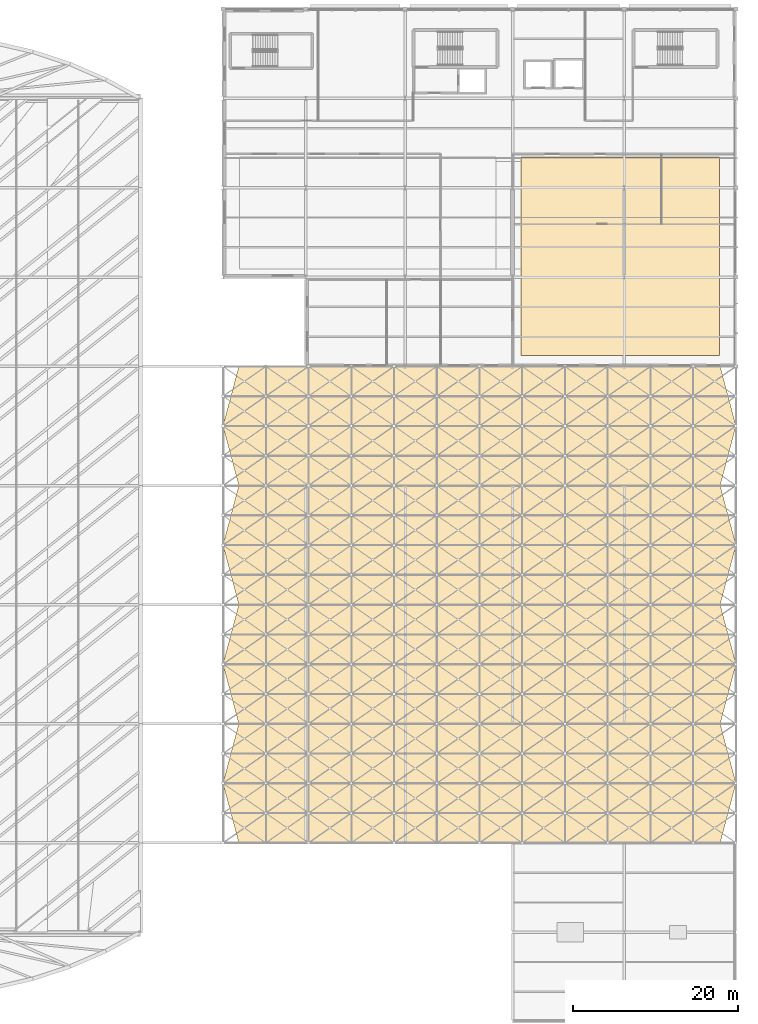
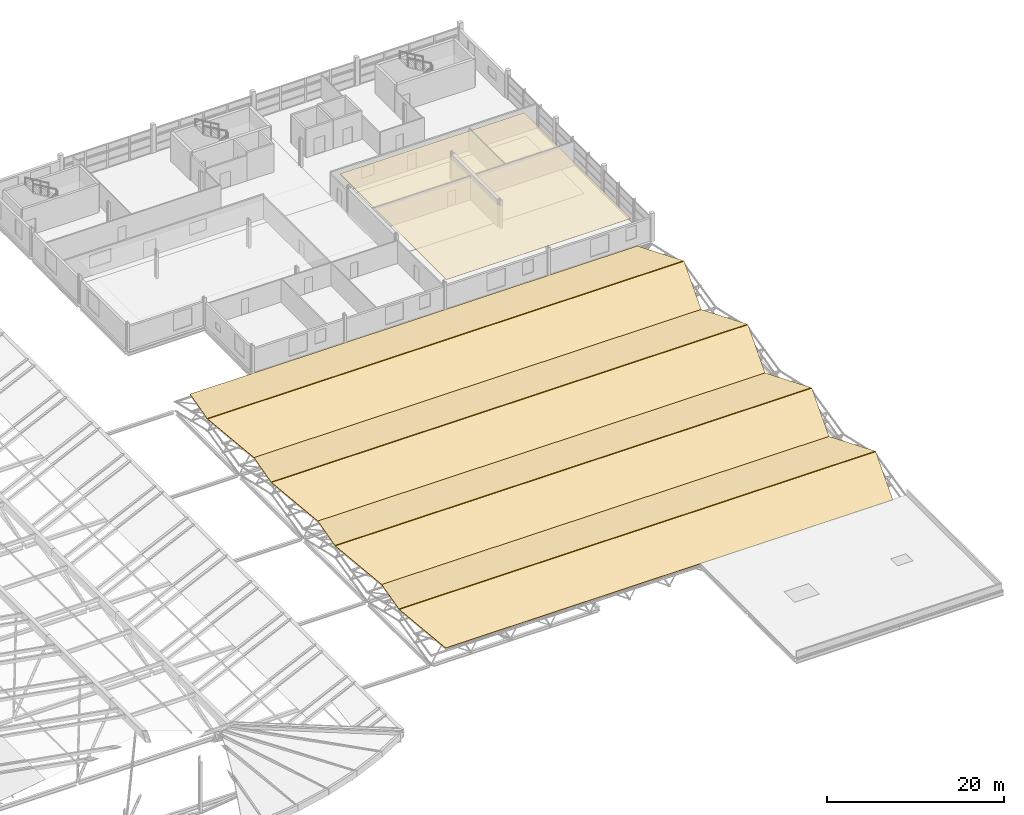
# One storey, part 107 of 110: 9 coverings.
"""IFC4 building model written with IfcOpenShell, lengths in metres."""

from ifc_helpers import new_model, si_unit, direction, frame, origin, place, context, subcontext, project, spatial, polyline, outline, extrude, material, layer, layer_set, type_object, element, save


model = new_model("IFC4")

# Units and contexts
model_context = context("Model", 3, precision=1e-05, world=origin(), true_north=direction((0.0, 1.0)))
body_context = subcontext(model_context, "Body", "Model", "MODEL_VIEW")
ifc_project = project(units=[si_unit("LENGTHUNIT", "METRE"), si_unit("AREAUNIT", "SQUARE_METRE"), si_unit("VOLUMEUNIT", "CUBIC_METRE"), si_unit("PLANEANGLEUNIT", "RADIAN"), si_unit("MASSUNIT", "GRAM", prefix="KILO")], contexts=[model_context])

# Site, building, storey
site_placement = place(None, origin())
site = spatial("IfcSite", under=ifc_project, at=site_placement, CompositionType="ELEMENT")
building_placement = place(site_placement, origin())
building = spatial("IfcBuilding", under=site, at=building_placement, Name="Tamarisk Ironworks Central Station", CompositionType="ELEMENT")
storey_placement = place(building_placement, frame((0.0, 0.0, 17.39990234375)))
storey = spatial("IfcBuildingStorey", under=building, at=storey_placement, Name="L03", CompositionType="ELEMENT", Elevation=17.39990234375)

# Coverings
ifc_material_1 = material(Name="Gypsum plasterboard acoustic partition")
ifc_layer_1 = layer(ifc_material_1, 0.0400390625)
ifc_layer_set_1 = layer_set([ifc_layer_1], Name="Gypsum plasterboard acoustic partition")
covering_type_1 = type_object("IfcCoveringType", Name="COV-CEIL-AC", PredefinedType="CEILING", material=ifc_layer_set_1)
covering_1_placement = place(storey_placement, frame((0.0, 0.0, 2.900146484375)))
element("IfcCovering", 1, at=covering_1_placement, inside=storey, type_object=covering_type_1, Name="L03 suspended acoustic baffle ceiling 009", PredefinedType="CEILING", context=body_context, shape_type="SweptSolid", body=[
    extrude(outline(polyline([(154.0, 80.5), (178.0, 80.5), (178.0, 104.5), (154.0, 104.5), (154.0, 80.5)])), origin(), (0.0, 0.0, 1.0), 0.0400390625),
])
ifc_material_2 = material(Name="Standing-seam zinc-aluminium roofing", Category="aluminium")
ifc_layer_2 = layer(ifc_material_2, 0.080078125)
ifc_layer_set_2 = layer_set([ifc_layer_2], Name="Standing-seam zinc-aluminium roofing")
covering_type_2 = type_object("IfcCoveringType", Name="COV-ROOF", PredefinedType="ROOFING", material=ifc_layer_set_2)
covering_2_placement = place(storey_placement, frame((119.89990234375, 21.60009765625, -0.0830078125), z_axis=(0.0, -0.223382748835, 0.974730807722), x_axis=(1.0, 0.0, 0.0)))
element("IfcCovering", 2, at=covering_2_placement, inside=storey, type_object=covering_type_2, Name="Train shed zinc-aluminium roof covering EAST-1S", PredefinedType="ROOFING", context=body_context, shape_type="SweptSolid", body=[
    extrude(outline(polyline([(0.0, 0.0), (58.2001953125, 0.0), (60.10009765625, 7.330249002743275), (-1.89990234375, 7.330249002743275), (0.0, 0.0)])), origin(), (0.0, 0.0, -1.0), 0.080078125),
])
covering_3_placement = place(storey_placement, frame((118.0, 28.85498046875, 1.554443359375), z_axis=(0.0, 0.223382748835, 0.974730807722), x_axis=(1.0, 0.0, 0.0)))
element("IfcCovering", 3, at=covering_3_placement, inside=storey, type_object=covering_type_2, Name="Train shed zinc-aluminium roof covering EAST-1N", PredefinedType="ROOFING", context=body_context, shape_type="SweptSolid", body=[
    extrude(outline(polyline([(0.0, 0.0), (62.0, 0.0), (60.10009765625, 7.330249002743275), (1.89990234375, 7.330249002743275), (0.0, 0.0)])), origin(), (0.0, 0.0, -1.0), 0.080078125),
])
covering_4_placement = place(storey_placement, frame((119.89990234375, 36.0, -0.0830078125), z_axis=(0.0, -0.223382748835, 0.974730807722), x_axis=(1.0, 0.0, 0.0)))
element("IfcCovering", 4, at=covering_4_placement, inside=storey, type_object=covering_type_2, Name="Train shed zinc-aluminium roof covering EAST-2S", PredefinedType="ROOFING", context=body_context, shape_type="SweptSolid", body=[
    extrude(outline(polyline([(0.0, 0.0), (58.2001953125, 0.0), (60.10009765625, 7.330249002743275), (-1.89990234375, 7.330249002743275), (0.0, 0.0)])), origin(), (0.0, 0.0, -1.0), 0.080078125),
])
covering_5_placement = place(storey_placement, frame((118.0, 43.2548828125, 1.554443359375), z_axis=(0.0, 0.223382748835, 0.974730807722), x_axis=(1.0, 0.0, 0.0)))
element("IfcCovering", 5, at=covering_5_placement, inside=storey, type_object=covering_type_2, Name="Train shed zinc-aluminium roof covering EAST-2N", PredefinedType="ROOFING", context=body_context, shape_type="SweptSolid", body=[
    extrude(outline(polyline([(0.0, 0.0), (62.0, 0.0), (60.10009765625, 7.330249002743275), (1.89990234375, 7.330249002743275), (0.0, 0.0)])), origin(), (0.0, 0.0, -1.0), 0.080078125),
])
covering_6_placement = place(storey_placement, frame((119.89990234375, 50.39990234375, -0.0830078125), z_axis=(0.0, -0.223382748835, 0.974730807722), x_axis=(1.0, 0.0, 0.0)))
element("IfcCovering", 6, at=covering_6_placement, inside=storey, type_object=covering_type_2, Name="Train shed zinc-aluminium roof covering EAST-3S", PredefinedType="ROOFING", context=body_context, shape_type="SweptSolid", body=[
    extrude(outline(polyline([(0.0, 0.0), (58.2001953125, 0.0), (60.10009765625, 7.330249002743275), (-1.89990234375, 7.330249002743275), (0.0, 0.0)])), origin(), (0.0, 0.0, -1.0), 0.080078125),
])
covering_7_placement = place(storey_placement, frame((118.0, 57.655029296875, 1.554443359375), z_axis=(0.0, 0.223382748835, 0.974730807722), x_axis=(1.0, 0.0, 0.0)))
element("IfcCovering", 7, at=covering_7_placement, inside=storey, type_object=covering_type_2, Name="Train shed zinc-aluminium roof covering EAST-3N", PredefinedType="ROOFING", context=body_context, shape_type="SweptSolid", body=[
    extrude(outline(polyline([(0.0, 0.0), (62.0, 0.0), (60.10009765625, 7.330249002743275), (1.89990234375, 7.330249002743275), (0.0, 0.0)])), origin(), (0.0, 0.0, -1.0), 0.080078125),
])
covering_8_placement = place(storey_placement, frame((119.89990234375, 64.800048828125, -0.0830078125), z_axis=(0.0, -0.223382748835, 0.974730807722), x_axis=(1.0, 0.0, 0.0)))
element("IfcCovering", 8, at=covering_8_placement, inside=storey, type_object=covering_type_2, Name="Train shed zinc-aluminium roof covering EAST-4S", PredefinedType="ROOFING", context=body_context, shape_type="SweptSolid", body=[
    extrude(outline(polyline([(0.0, 0.0), (58.2001953125, 0.0), (60.10009765625, 7.330249002743275), (-1.89990234375, 7.330249002743275), (0.0, 0.0)])), origin(), (0.0, 0.0, -1.0), 0.080078125),
])
covering_9_placement = place(storey_placement, frame((118.0, 72.054931640625, 1.554443359375), z_axis=(0.0, 0.223382748835, 0.974730807722), x_axis=(1.0, 0.0, 0.0)))
element("IfcCovering", 9, at=covering_9_placement, inside=storey, type_object=covering_type_2, Name="Train shed zinc-aluminium roof covering EAST-4N", PredefinedType="ROOFING", context=body_context, shape_type="SweptSolid", body=[
    extrude(outline(polyline([(0.0, 0.0), (62.0, 0.0), (60.10009765625, 7.330249002743275), (1.89990234375, 7.330249002743275), (0.0, 0.0)])), origin(), (0.0, 0.0, -1.0), 0.080078125),
])

save(model, "model.ifc")
